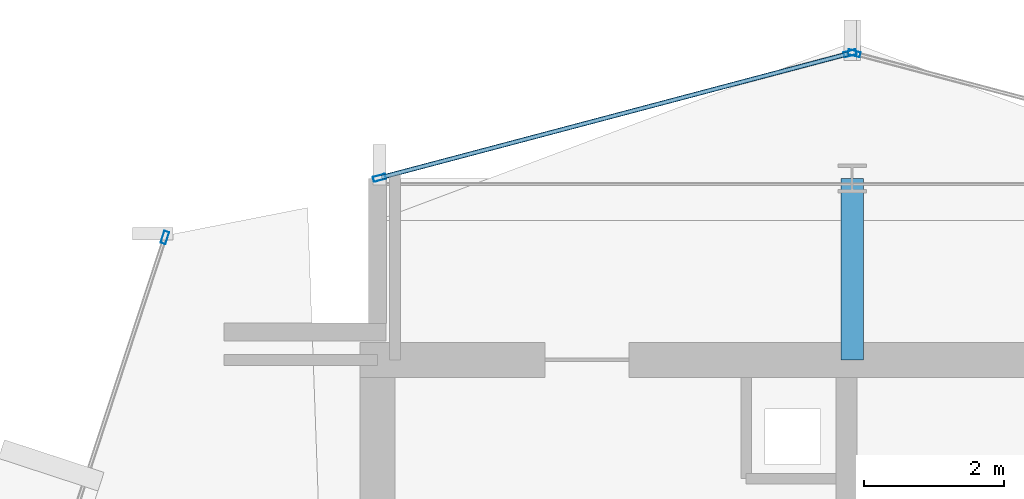
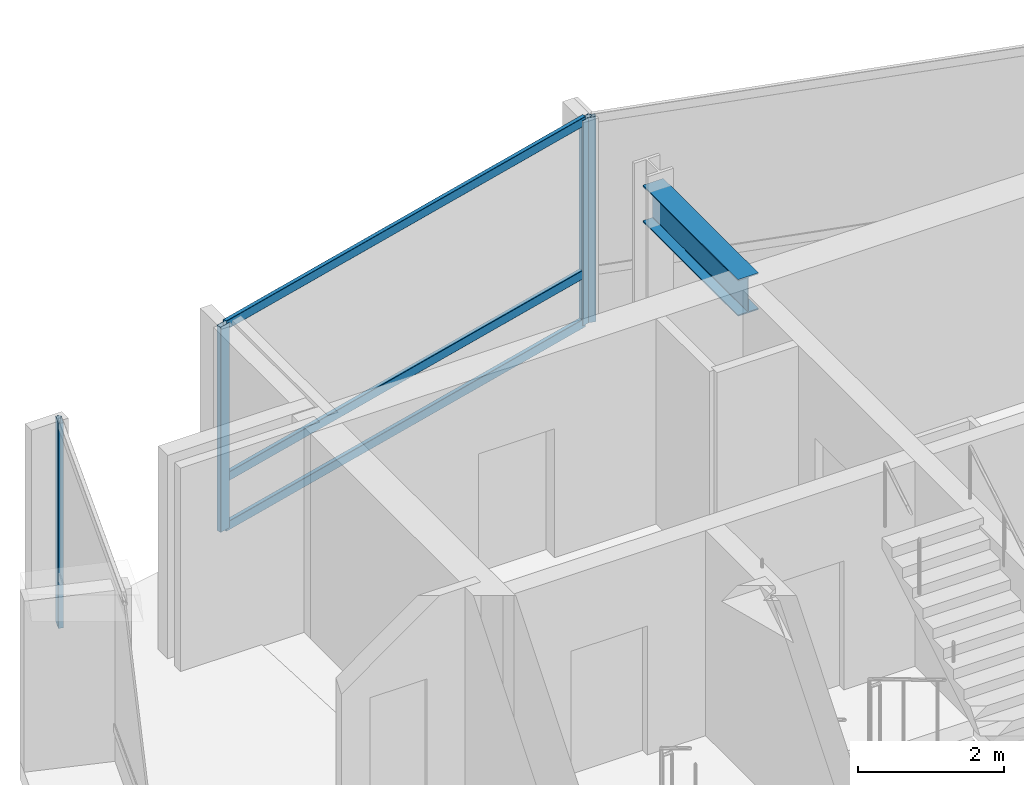
# One storey, part 16 of 27: 7 members, 1 beam, 3 elements without a shape of their own.
"""IFC4 building model written with IfcOpenShell, lengths in metres."""

from ifc_helpers import new_model, si_unit, direction, frame, origin, origin_2d, place, context, subcontext, project, spatial, hollow_rectangle, i_section, extrude, material, layer, layer_set, material_profile, profile_set, type_object, element, aggregate, save


model = new_model("IFC4")

# Units and contexts
model_context = context("Model", 3, precision=1e-05, world=origin(), true_north=direction((0.0, 1.0)))
body_context = subcontext(model_context, "Body", "Model", "MODEL_VIEW")
ifc_project = project(units=[si_unit("LENGTHUNIT", "METRE"), si_unit("AREAUNIT", "SQUARE_METRE"), si_unit("VOLUMEUNIT", "CUBIC_METRE"), si_unit("PLANEANGLEUNIT", "RADIAN"), si_unit("MASSUNIT", "GRAM", prefix="KILO")], contexts=[model_context])

# Site, building, storey
site_placement = place(None, origin())
site = spatial("IfcSite", under=ifc_project, at=site_placement, CompositionType="ELEMENT")
building_placement = place(site_placement, origin())
building = spatial("IfcBuilding", under=site, at=building_placement, Name="Solvaryn Broadcast Tower", CompositionType="ELEMENT")
storey_placement = place(building_placement, frame((0.0, 0.0, 177.89990234375)))
storey = spatial("IfcBuildingStorey", under=building, at=storey_placement, Name="L44", CompositionType="ELEMENT", Elevation=177.89990234375)

# Beam
ifc_material_1 = material(Name="Steel ASTM A992 Grade 50", Category="steel")
ifc_material_profile_1 = material_profile(ifc_material_1, i_section(OverallWidth=0.323974609375, OverallDepth=0.611083984375, WebThickness=0.0126953125, FlangeThickness=0.01904296875, FilletRadius=0.014892578125, at=origin_2d()))
ifc_profile_set_1 = profile_set([ifc_material_profile_1], Name="Steel ASTM A992 Grade 50")
beam_type = type_object("IfcBeamType", Name="BM-B1-W24X104", PredefinedType="BEAM", material=ifc_profile_set_1)
beam_placement = place(storey_placement, frame((18.0, 42.39990234375, 3.114501953125), z_axis=(0.0, 1.0, 0.0), x_axis=(-1.0, 0.0, 0.0)))
element("IfcBeam", 1, at=beam_placement, inside=storey, type_object=beam_type, Name="L44 Core Tie Beam CTW3", PredefinedType="BEAM", context=body_context, shape_type="SweptSolid", body=[
    extrude(i_section(OverallWidth=0.323974609375, OverallDepth=0.611083984375, WebThickness=0.0126953125, FlangeThickness=0.01904296875, FilletRadius=0.014892578125, at=origin_2d()), origin(), (0.0, 0.0, 1.0), 2.60009765625),
])

# Curtain wall, member
ifc_material_2 = material(Name="Aluminium and Terracotta Unitised Curtain Wall", Category="masonry")
ifc_layer = layer(ifc_material_2, 0.199951171875)
ifc_layer_set = layer_set([ifc_layer], Name="CW-SYS2-LOWMID")
curtain_wall_type = type_object("IfcCurtainWallType", Name="CW-SYS2-LOWMID", PredefinedType="NOTDEFINED", material=ifc_layer_set)
curtain_wall_1_placement = place(storey_placement, origin())
curtain_wall_1 = element("IfcCurtainWall", 2, at=curtain_wall_1_placement, inside=storey, type_object=curtain_wall_type, Name="L44 Curtain Wall DR1", PredefinedType="NOTDEFINED")
ifc_material_3 = material(Name="Anodised Aluminium 6063-T6", Category="aluminium")
ifc_material_profile_2 = material_profile(ifc_material_3, hollow_rectangle(XDim=0.074951171875, YDim=0.179931640625, WallThickness=0.00390625, InnerFilletRadius=0.00390625, OuterFilletRadius=0.008056640625, at=origin_2d()))
ifc_profile_set_2 = profile_set([ifc_material_profile_2], Name="Anodised Aluminium 6063-T6")
member_type_1 = type_object("IfcMemberType", Name="CW-MUL-180", PredefinedType="MULLION", material=ifc_profile_set_2)
member_1_placement = place(storey_placement, frame((8.153564453125, 44.153564453125, 0.0), z_axis=(0.0, 0.0, 1.0), x_axis=(0.950226902099, -0.311558717623, 0.0)))
member_1 = element("IfcMember", 3, at=member_1_placement, type_object=member_type_1, Name="CWS2 mullion 1", PredefinedType="MULLION", context=body_context, shape_type="SweptSolid", body=[
    extrude(hollow_rectangle(XDim=0.074951171875, YDim=0.179931640625, WallThickness=0.00390625, InnerFilletRadius=0.00390625, OuterFilletRadius=0.008056640625, at=origin_2d()), origin(), (0.0, 0.0, 1.0), 3.420166015625),
])
aggregate(curtain_wall_1, [member_1])

curtain_wall_2_placement = place(storey_placement, origin())
curtain_wall_2 = element("IfcCurtainWall", 4, at=curtain_wall_2_placement, inside=storey, type_object=curtain_wall_type, Name="L44 Curtain Wall NT1", PredefinedType="NOTDEFINED")
member_2_placement = place(storey_placement, frame((18.029052734375, 46.792236328125, 0.0), z_axis=(0.0, 0.0, 1.0), x_axis=(-0.25589256031, -0.966705227863, 0.0)))
member_2 = element("IfcMember", 5, at=member_2_placement, type_object=member_type_1, Name="CWS2 mullion 2", PredefinedType="MULLION", context=body_context, shape_type="SweptSolid", body=[
    extrude(hollow_rectangle(XDim=0.074951171875, YDim=0.179931640625, WallThickness=0.00390625, InnerFilletRadius=0.00390625, OuterFilletRadius=0.008056640625, at=origin_2d()), origin(), (0.0, 0.0, 1.0), 3.420166015625),
])
aggregate(curtain_wall_2, [member_2])

# Curtain wall, members
curtain_wall_3_placement = place(storey_placement, origin())
curtain_wall_3 = element("IfcCurtainWall", 6, at=curtain_wall_3_placement, inside=storey, type_object=curtain_wall_type, Name="L44 Curtain Wall NT2", PredefinedType="NOTDEFINED")
member_3_placement = place(storey_placement, frame((17.970947265625, 46.792236328125, 0.0), z_axis=(0.0, 0.0, 1.0), x_axis=(0.25589256031, -0.966705227863, 0.0)))
member_3 = element("IfcMember", 7, at=member_3_placement, type_object=member_type_1, Name="CWS2 mullion 1", PredefinedType="MULLION", context=body_context, shape_type="SweptSolid", body=[
    extrude(hollow_rectangle(XDim=0.074951171875, YDim=0.179931640625, WallThickness=0.00390625, InnerFilletRadius=0.00390625, OuterFilletRadius=0.008056640625, at=origin_2d()), origin(), (0.0, 0.0, 1.0), 3.420166015625),
])
member_4_placement = place(storey_placement, frame((11.22900390625, 45.007568359375, 0.0), z_axis=(0.0, 0.0, 1.0), x_axis=(0.25589256031, -0.966705227863, 0.0)))
member_4 = element("IfcMember", 8, at=member_4_placement, type_object=member_type_1, Name="CWS2 mullion 2", PredefinedType="MULLION", context=body_context, shape_type="SweptSolid", body=[
    extrude(hollow_rectangle(XDim=0.074951171875, YDim=0.179931640625, WallThickness=0.00390625, InnerFilletRadius=0.00390625, OuterFilletRadius=0.008056640625, at=origin_2d()), origin(), (0.0, 0.0, 1.0), 3.420166015625),
])
ifc_material_4 = material(Name="Anodised Aluminium 6063-T6", Category="aluminium")
ifc_material_profile_3 = material_profile(ifc_material_4, hollow_rectangle(XDim=0.06494140625, YDim=0.14990234375, WallThickness=0.00390625, InnerFilletRadius=0.00390625, OuterFilletRadius=0.008056640625, at=origin_2d()))
ifc_profile_set_3 = profile_set([ifc_material_profile_3], Name="Anodised Aluminium 6063-T6")
member_type_2 = type_object("IfcMemberType", Name="CW-TRN-150", PredefinedType="USERDEFINED", material=ifc_profile_set_3)
member_5_placement = place(storey_placement, frame((17.94189453125, 46.78466796875, 0.030029296875), z_axis=(-0.966703943301, -0.255897413051, 0.0), x_axis=(0.255897413051, -0.966703943301, 0.0)))
member_5 = element("IfcMember", 9, at=member_5_placement, type_object=member_type_2, Name="CWS2 transom 1.1", ObjectType="TRANSOM", PredefinedType="USERDEFINED", context=body_context, shape_type="SweptSolid", body=[
    extrude(hollow_rectangle(XDim=0.06494140625, YDim=0.14990234375, WallThickness=0.00390625, InnerFilletRadius=0.00390625, OuterFilletRadius=0.008056640625, at=origin_2d()), origin(), (0.0, 0.0, 1.0), 6.9140625),
])
member_6_placement = place(storey_placement, frame((17.94189453125, 46.78466796875, 0.85009765625), z_axis=(-0.966703943301, -0.255897413051, 0.0), x_axis=(0.255897413051, -0.966703943301, 0.0)))
member_6 = element("IfcMember", 10, at=member_6_placement, type_object=member_type_2, Name="CWS2 transom 1.2", ObjectType="TRANSOM", PredefinedType="USERDEFINED", context=body_context, shape_type="SweptSolid", body=[
    extrude(hollow_rectangle(XDim=0.06494140625, YDim=0.14990234375, WallThickness=0.00390625, InnerFilletRadius=0.00390625, OuterFilletRadius=0.008056640625, at=origin_2d()), origin(), (0.0, 0.0, 1.0), 6.9140625),
])
member_7_placement = place(storey_placement, frame((17.94189453125, 46.78466796875, 3.39013671875), z_axis=(-0.966703943301, -0.255897413051, 0.0), x_axis=(0.255897413051, -0.966703943301, 0.0)))
member_7 = element("IfcMember", 11, at=member_7_placement, type_object=member_type_2, Name="CWS2 transom 1.3", ObjectType="TRANSOM", PredefinedType="USERDEFINED", context=body_context, shape_type="SweptSolid", body=[
    extrude(hollow_rectangle(XDim=0.06494140625, YDim=0.14990234375, WallThickness=0.00390625, InnerFilletRadius=0.00390625, OuterFilletRadius=0.008056640625, at=origin_2d()), origin(), (0.0, 0.0, 1.0), 6.9140625),
])
aggregate(curtain_wall_3, [member_3, member_4, member_5, member_6, member_7])

save(model, "model.ifc")
